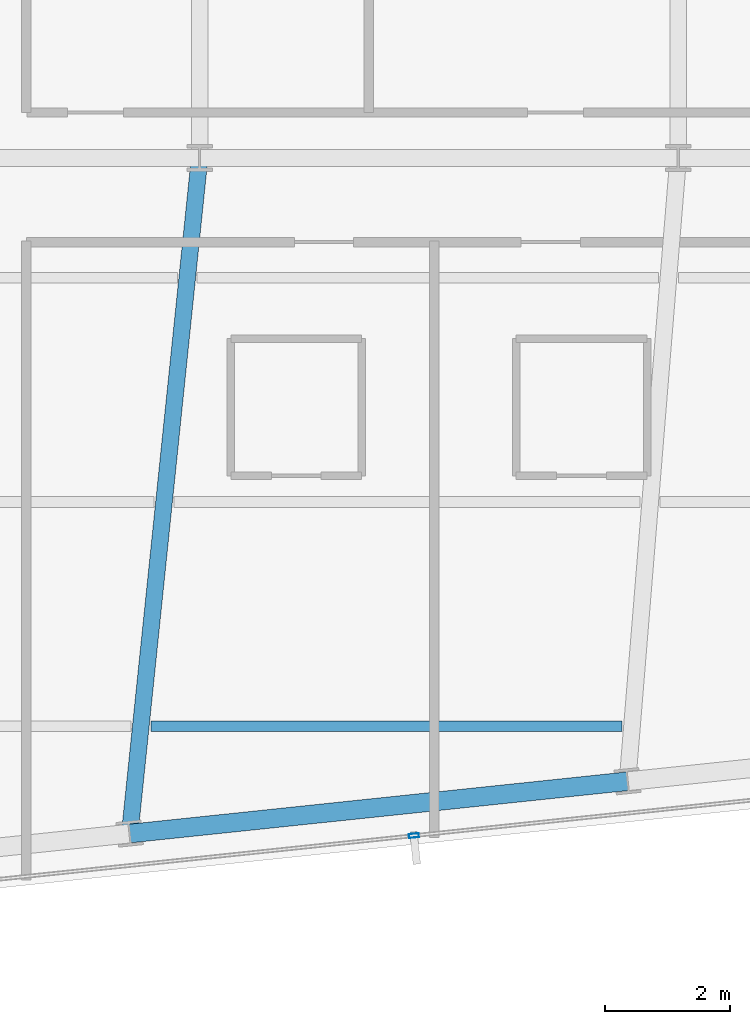
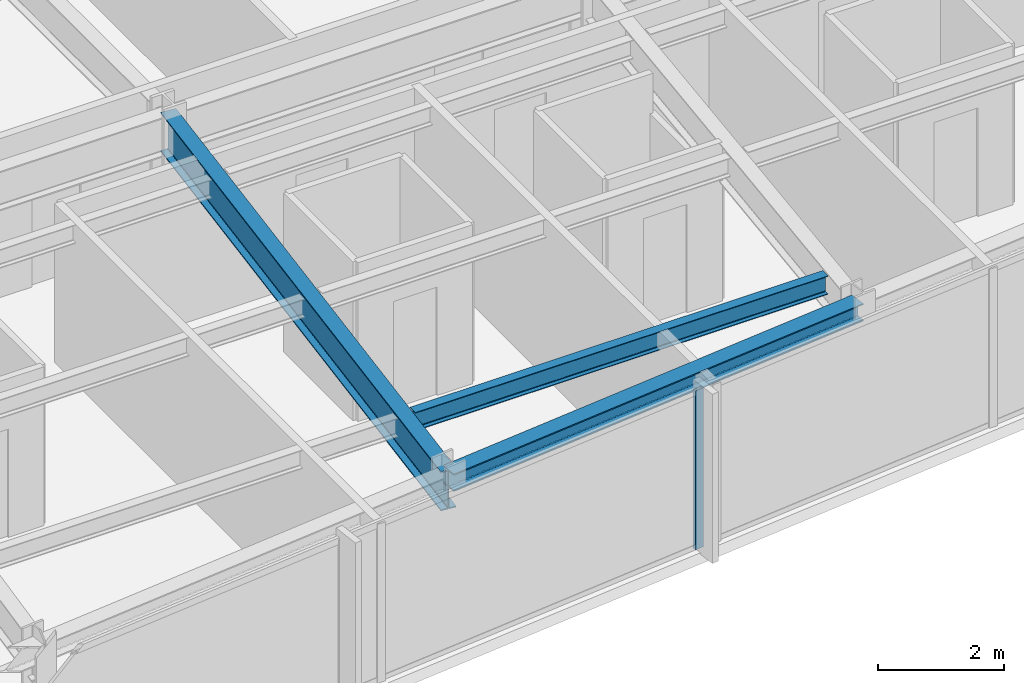
# One storey, part 8 of 33: 3 beams, 1 member, 1 element without a shape of its own.
"""IFC4 building model written with IfcOpenShell, lengths in metres."""

from ifc_helpers import new_model, si_unit, direction, frame, origin, origin_2d, place, context, subcontext, project, spatial, hollow_rectangle, i_section, extrude, material, material_profile, profile_set, type_object, element, aggregate, save


model = new_model("IFC4")

# Units and contexts
model_context = context("Model", 3, precision=1e-05, world=origin(), true_north=direction((0.0, 1.0)))
body_context = subcontext(model_context, "Body", "Model", "MODEL_VIEW")
ifc_project = project(units=[si_unit("LENGTHUNIT", "METRE"), si_unit("AREAUNIT", "SQUARE_METRE"), si_unit("VOLUMEUNIT", "CUBIC_METRE"), si_unit("PLANEANGLEUNIT", "RADIAN"), si_unit("MASSUNIT", "GRAM", prefix="KILO")], contexts=[model_context])

# Site, building, storey
site_placement = place(None, origin())
site = spatial("IfcSite", under=ifc_project, at=site_placement, CompositionType="ELEMENT")
building_placement = place(site_placement, origin())
building = spatial("IfcBuilding", under=site, at=building_placement, Name="Yelkora Congress Tower", CompositionType="ELEMENT")
storey_placement = place(building_placement, frame((0.0, 0.0, 221.0)))
storey = spatial("IfcBuildingStorey", under=building, at=storey_placement, Name="L61", CompositionType="ELEMENT", Elevation=221.0)

# Beams
ifc_material_1 = material(Name="Steel S355J2", Category="steel")
ifc_material_profile_1 = material_profile(ifc_material_1, i_section(OverallWidth=0.26708984375, OverallDepth=0.761962890625, WebThickness=0.014404296875, FlangeThickness=0.021484375, FilletRadius=0.01708984375, at=origin_2d()), Name="IPE 750x173")
ifc_profile_set_1 = profile_set([ifc_material_profile_1], Name="Steel S355J2")
beam_type_1 = type_object("IfcBeamType", Name="BM-GIRD-IPE750", PredefinedType="BEAM", material=ifc_profile_set_1)
beam_1_placement = place(storey_placement, frame((37.277587890625, 14.35791015625, 2.698974609375), z_axis=(0.102964870035, 0.99468499312, 0.0), x_axis=(-0.99468499312, 0.102964870035, 0.0)))
element("IfcBeam", 1, at=beam_1_placement, inside=storey, type_object=beam_type_1, Name="L61 Primary Frame Girder S03", PredefinedType="BEAM", context=body_context, shape_type="SweptSolid", body=[
    extrude(i_section(OverallWidth=0.26708984375, OverallDepth=0.761962890625, WebThickness=0.014404296875, FlangeThickness=0.021484375, FilletRadius=0.01708984375, at=origin_2d()), origin(), (0.0, 0.0, 1.0), 10.89990234375),
])
ifc_material_profile_2 = material_profile(ifc_material_1, i_section(OverallWidth=0.169921875, OverallDepth=0.360107421875, WebThickness=0.008056640625, FlangeThickness=0.0126953125, FilletRadius=0.01806640625, at=origin_2d()), Name="IPE 360")
ifc_profile_set_2 = profile_set([ifc_material_profile_2], Name="Steel S355J2")
beam_type_2 = type_object("IfcBeamType", Name="BM-JOIST-IPE360", PredefinedType="JOIST", material=ifc_profile_set_2)
beam_2_placement = place(storey_placement, frame((37.61572265625, 16.07861328125, 2.89990234375), z_axis=(1.0, 0.0, 0.0), x_axis=(0.0, 1.0, 0.0)))
element("IfcBeam", 2, at=beam_2_placement, inside=storey, type_object=beam_type_2, Name="L61 Composite Floor Joist 2", PredefinedType="JOIST", context=body_context, shape_type="SweptSolid", body=[
    extrude(i_section(OverallWidth=0.169921875, OverallDepth=0.360107421875, WebThickness=0.008056640625, FlangeThickness=0.0126953125, FilletRadius=0.01806640625, at=origin_2d()), origin(), (0.0, 0.0, 1.0), 7.56298828125),
])
ifc_material_profile_3 = material_profile(ifc_material_1, i_section(OverallWidth=0.300048828125, OverallDepth=0.340087890625, WebThickness=0.011962890625, FlangeThickness=0.021484375, FilletRadius=0.027099609375, at=origin_2d()), Name="HEB 340")
ifc_profile_set_3 = profile_set([ifc_material_profile_3], Name="Steel S355J2")
beam_type_3 = type_object("IfcBeamType", Name="BM-SPAN-HEB340", PredefinedType="SPANDREL", material=ifc_profile_set_3)
beam_3_placement = place(storey_placement, frame((37.277587890625, 14.35791015625, 2.909912109375), z_axis=(0.99452358891, 0.104512349038, 0.0), x_axis=(-0.104512349038, 0.99452358891, 0.0)))
element("IfcBeam", 3, at=beam_3_placement, inside=storey, type_object=beam_type_3, Name="L61 Perimeter Beam 5", PredefinedType="SPANDREL", context=body_context, shape_type="SweptSolid", body=[
    extrude(i_section(OverallWidth=0.300048828125, OverallDepth=0.340087890625, WebThickness=0.011962890625, FlangeThickness=0.021484375, FilletRadius=0.027099609375, at=origin_2d()), origin(), (0.0, 0.0, 1.0), 8.033447265625),
])

# Curtain wall, member
ifc_material_2 = material(Name="Anodised aluminium and insulated glass", Category="aluminium")
curtain_wall_type = type_object("IfcCurtainWallType", Name="CW-SYS-B4", PredefinedType="NOTDEFINED", material=ifc_material_2)
curtain_wall_placement = place(storey_placement, origin())
curtain_wall = element("IfcCurtainWall", 4, at=curtain_wall_placement, inside=storey, type_object=curtain_wall_type, Name="L61 Unitised Curtain Wall 20", PredefinedType="NOTDEFINED")
ifc_material_3 = material(Name="Anodised aluminium 6063-T6", Category="aluminium")
ifc_material_profile_4 = material_profile(ifc_material_3, hollow_rectangle(XDim=0.06494140625, YDim=0.159912109375, WallThickness=0.00390625, at=origin_2d()), Name="ALU 65x160x4")
ifc_profile_set_4 = profile_set([ifc_material_profile_4], Name="Anodised aluminium 6063-T6")
member_type = type_object("IfcMemberType", Name="MEM-ML-B4", PredefinedType="MULLION", material=ifc_profile_set_4)
member_placement = place(storey_placement, frame((41.838134765625, 14.324462890625, 0.0), z_axis=(0.0, 0.0, 1.0), x_axis=(0.104526664994, -0.994522084373, 0.0)))
member = element("IfcMember", 5, at=member_placement, type_object=member_type, Name="CW-B4 mullion 5", PredefinedType="MULLION", context=body_context, shape_type="SweptSolid", body=[
    extrude(hollow_rectangle(XDim=0.06494140625, YDim=0.159912109375, WallThickness=0.00390625, at=origin_2d()), origin(), (0.0, 0.0, 1.0), 3.080078125),
])
aggregate(curtain_wall, [member])

save(model, "model.ifc")
